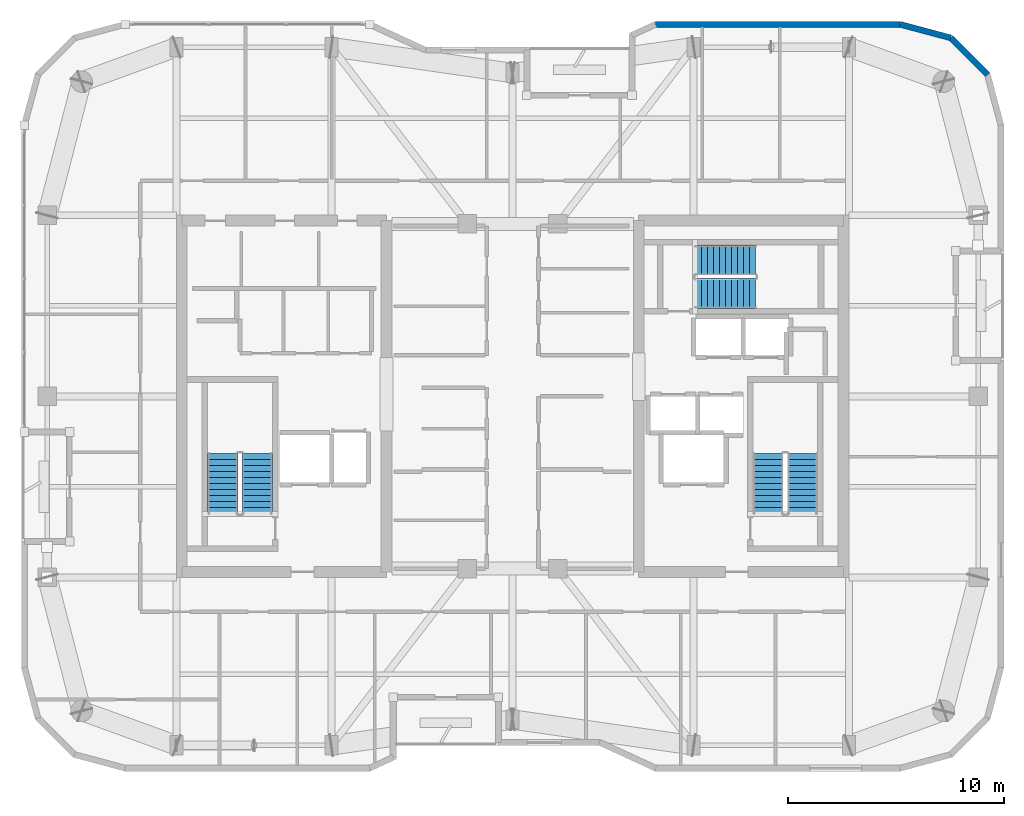
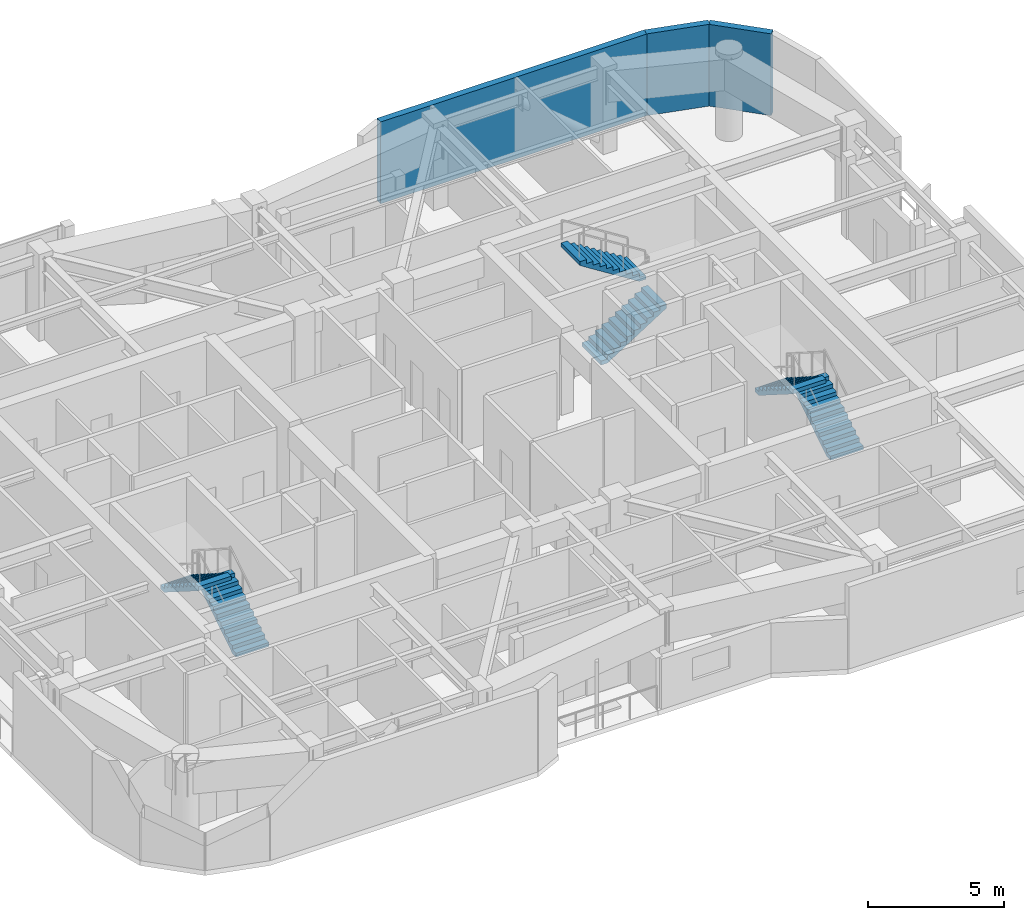
# One storey, part 14 of 16: 6 stair flights, 3 walls, 3 elements without a shape of their own.
"""IFC4 building model written with IfcOpenShell, lengths in metres."""

from ifc_helpers import new_model, si_unit, direction, frame, frame_2d, origin, place, context, subcontext, project, spatial, polyline, rectangle, outline, extrude, material, layer, layer_set, type_object, element, aggregate, save


model = new_model("IFC4")

# Units and contexts
model_context = context("Model", 3, precision=1e-05, world=origin(), true_north=direction((0.0, 1.0)))
body_context = subcontext(model_context, "Body", "Model", "MODEL_VIEW")
ifc_project = project(units=[si_unit("LENGTHUNIT", "METRE"), si_unit("AREAUNIT", "SQUARE_METRE"), si_unit("VOLUMEUNIT", "CUBIC_METRE"), si_unit("PLANEANGLEUNIT", "RADIAN"), si_unit("MASSUNIT", "GRAM", prefix="KILO")], contexts=[model_context])

# Site, building, storey
site_placement = place(None, origin())
site = spatial("IfcSite", under=ifc_project, at=site_placement, CompositionType="ELEMENT")
building_placement = place(site_placement, origin())
building = spatial("IfcBuilding", under=site, at=building_placement, Name="Kiyonajd Concourse Tower", CompositionType="ELEMENT")
storey_placement = place(building_placement, frame((0.0, 0.0, 306.300048828125)))
storey = spatial("IfcBuildingStorey", under=building, at=storey_placement, Name="L77", CompositionType="ELEMENT", Elevation=306.300048828125)

# Walls
ifc_material_1 = material(Name="Precast concrete C50/60", Category="concrete")
ifc_layer = layer(ifc_material_1, 0.280029296875)
ifc_layer_set = layer_set([ifc_layer], Name="Precast concrete C50/60")
wall_type = type_object("IfcWallType", Name="WL-EXT-280", PredefinedType="SOLIDWALL", material=ifc_layer_set)
wall_1_placement = place(storey_placement, frame((54.630859375, 53.260009765625, 0.0), z_axis=(0.0, 0.0, 1.0), x_axis=(1.0, 0.0, 0.0)))
element("IfcWall", 1, at=wall_1_placement, inside=storey, type_object=wall_type, Name="L77 Exterior Concrete Frame Wall 16", PredefinedType="SOLIDWALL", context=body_context, shape_type="SweptSolid", body=[
    extrude(rectangle(XDim=11.350830078125, YDim=0.280029296875, at=frame_2d((5.67529296875, 0.0))), origin(), (0.0, 0.0, 1.0), 3.679931640625),
])
wall_2_placement = place(storey_placement, frame((65.981689453125, 53.260009765625, 0.0), z_axis=(0.0, 0.0, 1.0), x_axis=(0.965937282298, -0.25877628691, 0.0)))
element("IfcWall", 2, at=wall_2_placement, inside=storey, type_object=wall_type, Name="L77 Exterior Concrete Frame Wall 17", PredefinedType="SOLIDWALL", context=body_context, shape_type="SweptSolid", body=[
    extrude(rectangle(XDim=2.428466796875, YDim=0.280029296875, at=frame_2d((1.21435546875, 0.0))), origin(), (0.0, 0.0, 1.0), 3.679931640625),
])
wall_3_placement = place(storey_placement, frame((68.327392578125, 52.631591796875, 0.0), z_axis=(0.0, 0.0, 1.0), x_axis=(0.707106781187, -0.707106781187, 0.0)))
element("IfcWall", 3, at=wall_3_placement, inside=storey, type_object=wall_type, Name="L77 Exterior Concrete Frame Wall 18", PredefinedType="SOLIDWALL", context=body_context, shape_type="SweptSolid", body=[
    extrude(rectangle(XDim=2.409912109375, YDim=0.280029296875, at=frame_2d((1.205078125, 0.0))), origin(), (0.0, 0.0, 1.0), 3.679931640625),
])

# Stair, stair flights
ifc_material_2 = material(Name="Concrete C40/50", Category="concrete")
stair_type = type_object("IfcStairType", Name="ST-DLG-22R", PredefinedType="HALF_TURN_STAIR", material=ifc_material_2)
stair_1_placement = place(storey_placement, origin())
stair_1 = element("IfcStair", 4, at=stair_1_placement, inside=storey, type_object=stair_type, Name="L77 Protected Exit Stair ST1", PredefinedType="HALF_TURN_STAIR")
stair_flight_type = type_object("IfcStairFlightType", Name="SF-STR-22R", PredefinedType="STRAIGHT", material=ifc_material_2)
stair_flight_1_placement = place(storey_placement, frame((36.14990234375, 30.550048828125, 0.0), z_axis=(0.0, 0.0, 1.0), x_axis=(0.0, 1.0, 0.0)))
stair_flight_1 = element("IfcStairFlight", 5, at=stair_flight_1_placement, type_object=stair_flight_type, Name="ST1 flight 1", NumberOfRisers=11, NumberOfTreads=10, PredefinedType="STRAIGHT", RiserHeight=0.177272727, TreadLength=0.28, context=body_context, shape_type="SweptSolid", body=[
    extrude(outline(polyline([(0.0, 0.0), (0.0, 0.17724609375), (0.280029296875, 0.17724609375), (0.280029296875, 0.3544921875), (0.56005859375, 0.3544921875), (0.56005859375, 0.53173828125), (0.840087890625, 0.53173828125), (0.840087890625, 0.708984375), (1.1201171875, 0.708984375), (1.1201171875, 0.886474609375), (1.39990234375, 0.886474609375), (1.39990234375, 1.063720703125), (1.679931640625, 1.063720703125), (1.679931640625, 1.240966796875), (1.9599609375, 1.240966796875), (1.9599609375, 1.418212890625), (2.239990234375, 1.418212890625), (2.239990234375, 1.595458984375), (2.52001953125, 1.595458984375), (2.52001953125, 1.772705078125), (2.800048828125, 1.772705078125), (2.800048828125, 1.949951171875), (2.800048828125, 1.59521484375), (0.2802734375, 0.0), (0.0, 0.0)])), frame((0.0, 0.699951171875, 0.0), z_axis=(0.0, -1.0, 0.0), x_axis=(1.0, 0.0, 0.0)), (0.0, 0.0, 1.0), 1.39990234375),
])
stair_flight_2_placement = place(storey_placement, frame((34.550048828125, 33.35009765625, 1.949951171875), z_axis=(0.0, 0.0, 1.0), x_axis=(0.0, -1.0, 0.0)))
stair_flight_2 = element("IfcStairFlight", 6, at=stair_flight_2_placement, type_object=stair_flight_type, Name="ST1 flight 2", NumberOfRisers=11, NumberOfTreads=10, PredefinedType="STRAIGHT", RiserHeight=0.177272727, TreadLength=0.28, context=body_context, shape_type="SweptSolid", body=[
    extrude(outline(polyline([(0.0, 0.0), (0.0, 0.17724609375), (0.280029296875, 0.17724609375), (0.280029296875, 0.3544921875), (0.56005859375, 0.3544921875), (0.56005859375, 0.53173828125), (0.840087890625, 0.53173828125), (0.840087890625, 0.708984375), (1.1201171875, 0.708984375), (1.1201171875, 0.886474609375), (1.39990234375, 0.886474609375), (1.39990234375, 1.063720703125), (1.679931640625, 1.063720703125), (1.679931640625, 1.240966796875), (1.9599609375, 1.240966796875), (1.9599609375, 1.418212890625), (2.239990234375, 1.418212890625), (2.239990234375, 1.595458984375), (2.52001953125, 1.595458984375), (2.52001953125, 1.772705078125), (2.800048828125, 1.772705078125), (2.800048828125, 1.949951171875), (2.800048828125, 1.59521484375), (0.2802734375, 0.0), (0.0, 0.0)])), frame((0.0, 0.699951171875, 0.0), z_axis=(0.0, -1.0, 0.0), x_axis=(1.0, 0.0, 0.0)), (0.0, 0.0, 1.0), 1.39990234375),
])
aggregate(stair_1, [stair_flight_1, stair_flight_2])

stair_2_placement = place(storey_placement, origin())
stair_2 = element("IfcStair", 7, at=stair_2_placement, inside=storey, type_object=stair_type, Name="L77 Protected Exit Stair ST2", PredefinedType="HALF_TURN_STAIR")
stair_flight_3_placement = place(storey_placement, frame((61.449951171875, 30.550048828125, 0.0), z_axis=(0.0, 0.0, 1.0), x_axis=(0.0, 1.0, 0.0)))
stair_flight_3 = element("IfcStairFlight", 8, at=stair_flight_3_placement, type_object=stair_flight_type, Name="ST2 flight 1", NumberOfRisers=11, NumberOfTreads=10, PredefinedType="STRAIGHT", RiserHeight=0.177272727, TreadLength=0.28, context=body_context, shape_type="SweptSolid", body=[
    extrude(outline(polyline([(0.0, 0.0), (0.0, 0.17724609375), (0.280029296875, 0.17724609375), (0.280029296875, 0.3544921875), (0.56005859375, 0.3544921875), (0.56005859375, 0.53173828125), (0.840087890625, 0.53173828125), (0.840087890625, 0.708984375), (1.1201171875, 0.708984375), (1.1201171875, 0.886474609375), (1.39990234375, 0.886474609375), (1.39990234375, 1.063720703125), (1.679931640625, 1.063720703125), (1.679931640625, 1.240966796875), (1.9599609375, 1.240966796875), (1.9599609375, 1.418212890625), (2.239990234375, 1.418212890625), (2.239990234375, 1.595458984375), (2.52001953125, 1.595458984375), (2.52001953125, 1.772705078125), (2.800048828125, 1.772705078125), (2.800048828125, 1.949951171875), (2.800048828125, 1.59521484375), (0.2802734375, 0.0), (0.0, 0.0)])), frame((0.0, 0.699951171875, 0.0), z_axis=(0.0, -1.0, 0.0), x_axis=(1.0, 0.0, 0.0)), (0.0, 0.0, 1.0), 1.39990234375),
])
stair_flight_4_placement = place(storey_placement, frame((59.85009765625, 33.35009765625, 1.949951171875), z_axis=(0.0, 0.0, 1.0), x_axis=(0.0, -1.0, 0.0)))
stair_flight_4 = element("IfcStairFlight", 9, at=stair_flight_4_placement, type_object=stair_flight_type, Name="ST2 flight 2", NumberOfRisers=11, NumberOfTreads=10, PredefinedType="STRAIGHT", RiserHeight=0.177272727, TreadLength=0.28, context=body_context, shape_type="SweptSolid", body=[
    extrude(outline(polyline([(0.0, 0.0), (0.0, 0.17724609375), (0.280029296875, 0.17724609375), (0.280029296875, 0.3544921875), (0.56005859375, 0.3544921875), (0.56005859375, 0.53173828125), (0.840087890625, 0.53173828125), (0.840087890625, 0.708984375), (1.1201171875, 0.708984375), (1.1201171875, 0.886474609375), (1.39990234375, 0.886474609375), (1.39990234375, 1.063720703125), (1.679931640625, 1.063720703125), (1.679931640625, 1.240966796875), (1.9599609375, 1.240966796875), (1.9599609375, 1.418212890625), (2.239990234375, 1.418212890625), (2.239990234375, 1.595458984375), (2.52001953125, 1.595458984375), (2.52001953125, 1.772705078125), (2.800048828125, 1.772705078125), (2.800048828125, 1.949951171875), (2.800048828125, 1.59521484375), (0.2802734375, 0.0), (0.0, 0.0)])), frame((0.0, 0.699951171875, 0.0), z_axis=(0.0, -1.0, 0.0), x_axis=(1.0, 0.0, 0.0)), (0.0, 0.0, 1.0), 1.39990234375),
])
aggregate(stair_2, [stair_flight_3, stair_flight_4])

stair_3_placement = place(storey_placement, origin())
stair_3 = element("IfcStair", 10, at=stair_3_placement, inside=storey, type_object=stair_type, Name="L77 Protected Exit Stair ST3", PredefinedType="HALF_TURN_STAIR")
stair_flight_5_placement = place(storey_placement, frame((56.47998046875, 40.780029296875, 0.0), z_axis=(0.0, 0.0, 1.0), x_axis=(1.0, 0.0, 0.0)))
stair_flight_5 = element("IfcStairFlight", 11, at=stair_flight_5_placement, type_object=stair_flight_type, Name="ST3 flight 1", NumberOfRisers=11, NumberOfTreads=10, PredefinedType="STRAIGHT", RiserHeight=0.177272727, TreadLength=0.28, context=body_context, shape_type="SweptSolid", body=[
    extrude(outline(polyline([(0.0, 0.0), (0.0, 0.17724609375), (0.280029296875, 0.17724609375), (0.280029296875, 0.3544921875), (0.56005859375, 0.3544921875), (0.56005859375, 0.53173828125), (0.840087890625, 0.53173828125), (0.840087890625, 0.708984375), (1.1201171875, 0.708984375), (1.1201171875, 0.886474609375), (1.39990234375, 0.886474609375), (1.39990234375, 1.063720703125), (1.679931640625, 1.063720703125), (1.679931640625, 1.240966796875), (1.9599609375, 1.240966796875), (1.9599609375, 1.418212890625), (2.239990234375, 1.418212890625), (2.239990234375, 1.595458984375), (2.52001953125, 1.595458984375), (2.52001953125, 1.772705078125), (2.800048828125, 1.772705078125), (2.800048828125, 1.949951171875), (2.800048828125, 1.59521484375), (0.2802734375, 0.0), (0.0, 0.0)])), frame((0.0, 0.699951171875, 0.0), z_axis=(0.0, -1.0, 0.0), x_axis=(1.0, 0.0, 0.0)), (0.0, 0.0, 1.0), 1.39990234375),
])
stair_flight_6_placement = place(storey_placement, frame((59.280029296875, 42.320068359375, 1.949951171875), z_axis=(0.0, 0.0, 1.0), x_axis=(-1.0, 0.0, 0.0)))
stair_flight_6 = element("IfcStairFlight", 12, at=stair_flight_6_placement, type_object=stair_flight_type, Name="ST3 flight 2", NumberOfRisers=11, NumberOfTreads=10, PredefinedType="STRAIGHT", RiserHeight=0.177272727, TreadLength=0.28, context=body_context, shape_type="SweptSolid", body=[
    extrude(outline(polyline([(0.0, 0.0), (0.0, 0.17724609375), (0.280029296875, 0.17724609375), (0.280029296875, 0.3544921875), (0.56005859375, 0.3544921875), (0.56005859375, 0.53173828125), (0.840087890625, 0.53173828125), (0.840087890625, 0.708984375), (1.1201171875, 0.708984375), (1.1201171875, 0.886474609375), (1.39990234375, 0.886474609375), (1.39990234375, 1.063720703125), (1.679931640625, 1.063720703125), (1.679931640625, 1.240966796875), (1.9599609375, 1.240966796875), (1.9599609375, 1.418212890625), (2.239990234375, 1.418212890625), (2.239990234375, 1.595458984375), (2.52001953125, 1.595458984375), (2.52001953125, 1.772705078125), (2.800048828125, 1.772705078125), (2.800048828125, 1.949951171875), (2.800048828125, 1.59521484375), (0.2802734375, 0.0), (0.0, 0.0)])), frame((0.0, 0.699951171875, 0.0), z_axis=(0.0, -1.0, 0.0), x_axis=(1.0, 0.0, 0.0)), (0.0, 0.0, 1.0), 1.39990234375),
])
aggregate(stair_3, [stair_flight_5, stair_flight_6])

save(model, "model.ifc")
